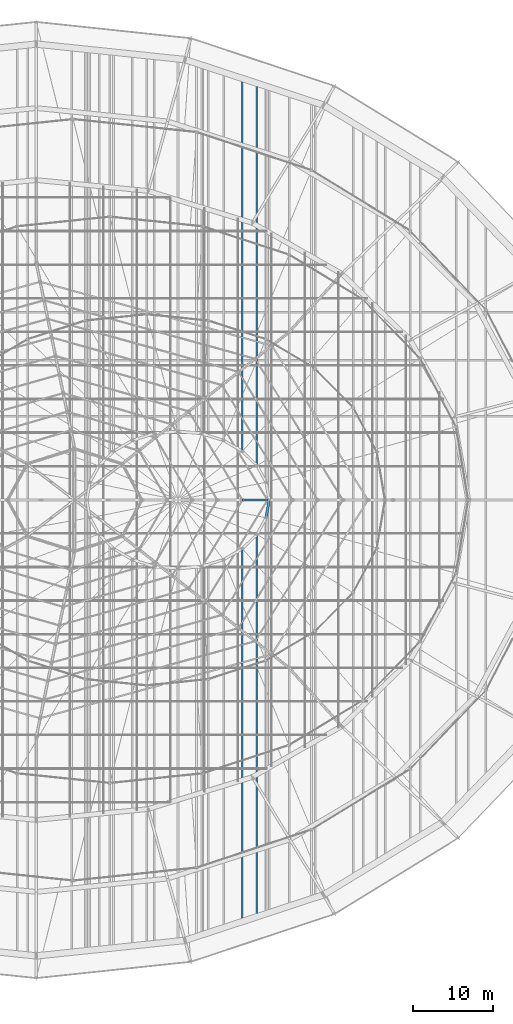
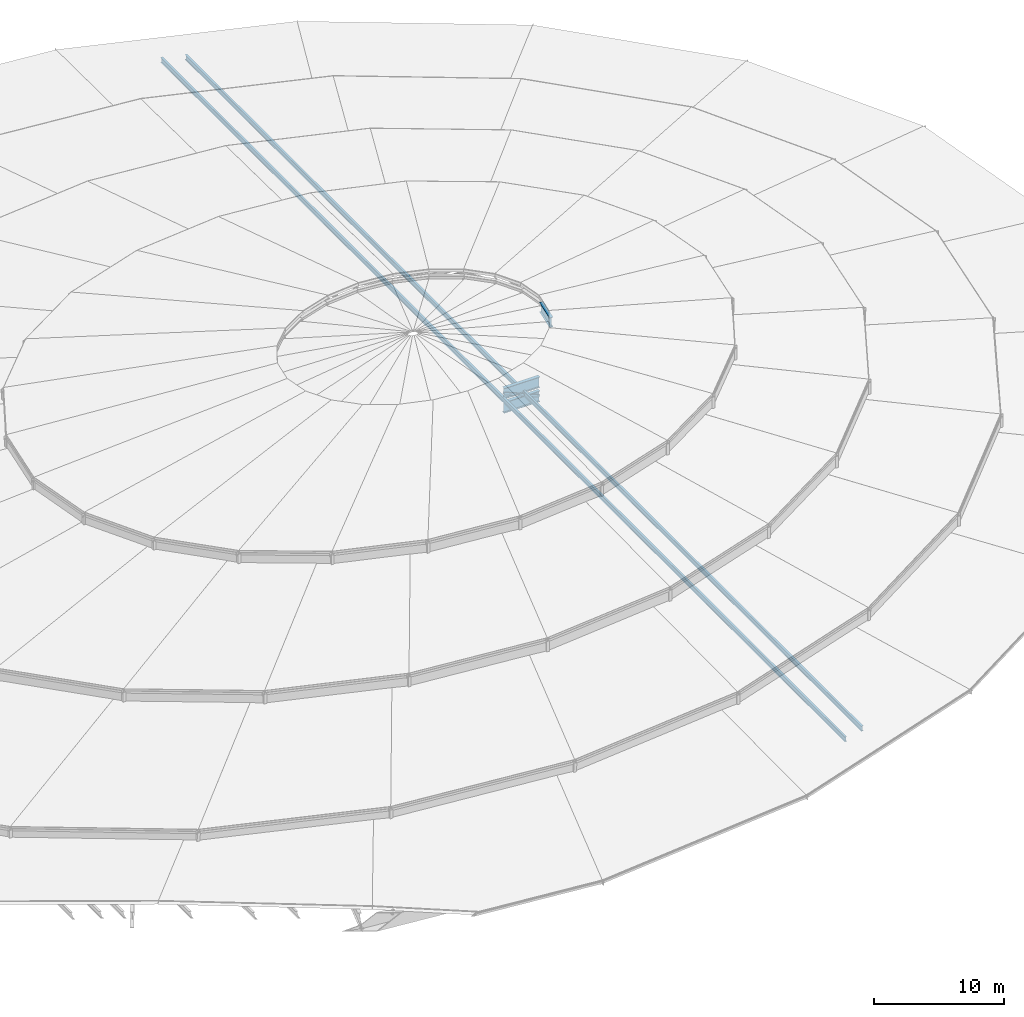
# One storey, part 80 of 184: 3 beams, 3 members.
"""IFC4 building model written with IfcOpenShell, lengths in metres."""

import ifcopenshell
import ifcopenshell.guid

model = None  # the IFC model being written
_history = None  # IfcOwnerHistory: only IFC2X3 demands one
_inside = {}  # id of a spatial element -> (the spatial element, [elements in it])
_under = {}  # id of a project, library or spatial element -> (it, [spatial elements below it])
_declared = {}  # id of a project -> (the project, [libraries it declares])
_typed = {}  # id of a type object -> (the type object, [elements of that type])
_made_of = {}  # id of a material, layer set ... -> (it, [elements and type objects made of it])


def new_model(schema):
    """Start an empty IFC model of exactly this schema.

    Asked for "IFC4X3", IfcOpenShell would pick the latest addendum, in which some entities
    have other attributes; the version numbers below select the first issue.
    IFC2X3 requires an IfcOwnerHistory on every rooted entity: one is made here for all.
    """
    global model, _history
    if schema == "IFC4X3":
        model = ifcopenshell.file(schema_version=(4, 3, 0, 0))
    else:
        model = ifcopenshell.file(schema=schema)
    _inside.clear()
    _under.clear()
    _declared.clear()
    _typed.clear()
    _made_of.clear()
    _history = None
    if model.schema == "IFC2X3":
        org = make("IfcOrganization", Name="unknown")
        user = make(
            "IfcPersonAndOrganization",
            ThePerson=make("IfcPerson", FamilyName="unknown"),
            TheOrganization=org,
        )
        app = make(
            "IfcApplication",
            ApplicationDeveloper=org,
            Version="unknown",
            ApplicationFullName="unknown",
            ApplicationIdentifier="unknown",
        )
        _history = make(
            "IfcOwnerHistory",
            OwningUser=user,
            OwningApplication=app,
            ChangeAction="ADDED",
            CreationDate=0,
        )
    return model


def make(cls, **values):
    """One entity of the class cls with the attributes given. An attribute that is None is left unset."""
    return model.create_entity(
        cls, **{name: value for name, value in values.items() if value is not None}
    )


def rooted(cls, **values):
    """An entity with a GlobalId (a new one), such as an element, a storey or a relation."""
    return make(cls, GlobalId=ifcopenshell.guid.new(), OwnerHistory=_history, **values)


def si_unit(unit_type, name, prefix=None):
    """IfcSIUnit, for example si_unit("LENGTHUNIT", "METRE", prefix="MILLI")."""
    return make("IfcSIUnit", UnitType=unit_type, Prefix=prefix, Name=name)


def assignment(units):
    """IfcUnitAssignment: the units of a project."""
    return None if units is None else make("IfcUnitAssignment", Units=units)


def point(xyz):
    """IfcCartesianPoint."""
    return None if xyz is None else make("IfcCartesianPoint", Coordinates=xyz)


def direction(xyz):
    """IfcDirection."""
    return None if xyz is None else make("IfcDirection", DirectionRatios=xyz)


def frame(location, z_axis=None, x_axis=None):
    """IfcAxis2Placement3D, a coordinate frame: its origin and axes. An axis left out is left unset."""
    return make(
        "IfcAxis2Placement3D",
        Location=point(location),
        Axis=direction(z_axis),
        RefDirection=direction(x_axis),
    )


def frame_2d(location, x_axis=None):
    """IfcAxis2Placement2D, a coordinate frame in the plane: its origin and x axis."""
    return make(
        "IfcAxis2Placement2D", Location=point(location), RefDirection=direction(x_axis)
    )


def origin():
    """The frame at (0, 0, 0) with its axes left unset."""
    return frame((0.0, 0.0, 0.0))


def origin_2d():
    """The frame at (0, 0) in the plane with its x axis left unset."""
    return frame_2d((0.0, 0.0))


def place(relative_to, where):
    """IfcLocalPlacement: puts the frame where relative to a parent placement (None: the world)."""
    return make(
        "IfcLocalPlacement", PlacementRelTo=relative_to, RelativePlacement=where
    )


def context(
    kind, dimensions, precision=None, world=None, true_north=None, identifier=None
):
    """IfcGeometricRepresentationContext, for example the 3D "Model" context."""
    return make(
        "IfcGeometricRepresentationContext",
        ContextIdentifier=identifier,
        ContextType=kind,
        CoordinateSpaceDimension=dimensions,
        Precision=precision,
        WorldCoordinateSystem=world,
        TrueNorth=true_north,
    )


def subcontext(parent, identifier, kind, view, scale=None):
    """IfcGeometricRepresentationSubContext, for example "Body" below "Model"."""
    return make(
        "IfcGeometricRepresentationSubContext",
        ContextIdentifier=identifier,
        ContextType=kind,
        ParentContext=parent,
        TargetScale=scale,
        TargetView=view,
    )


def project(units=None, contexts=None):
    """IfcProject with its units and contexts."""
    return rooted(
        "IfcProject",
        Name="project",
        RepresentationContexts=contexts,
        UnitsInContext=assignment(units),
    )


def spatial(cls, under=None, at=None, **own):
    """A site, building, storey or space (cls), placed at a placement, below another one or the project."""
    s = rooted(cls, ObjectPlacement=at, **own)
    if under is not None:
        _under.setdefault(under.id(), (under, []))[1].append(s)
    return s


def profile(cls, at=None, kind="AREA", **sizes):
    """A parametric profile (cls). Its sizes go by their IFC names, for example OverallWidth=200.0."""
    return make(cls, ProfileType=kind, Position=at, **sizes)


def hollow_rectangle(**sizes):
    """IfcRectangleHollowProfileDef."""
    return profile("IfcRectangleHollowProfileDef", **sizes)


def i_section(**sizes):
    """IfcIShapeProfileDef."""
    return profile("IfcIShapeProfileDef", **sizes)


def extrude(swept, where, along, depth):
    """IfcExtrudedAreaSolid: the profile swept, set in the frame where, extruded along a direction by depth."""
    return make(
        "IfcExtrudedAreaSolid",
        SweptArea=swept,
        Position=where,
        ExtrudedDirection=direction(along),
        Depth=depth,
    )


def shape(context_of_items, identifier, shape_type, items):
    """IfcShapeRepresentation: the items that make up one representation, for example the "Body"."""
    return make(
        "IfcShapeRepresentation",
        ContextOfItems=context_of_items,
        RepresentationIdentifier=identifier,
        RepresentationType=shape_type,
        Items=items,
    )


def material(Name=None, Category=None):
    """IfcMaterial."""
    return make("IfcMaterial", Name=Name, Category=Category)


def material_profile(
    of_material, cross_section, Name=None, Category=None, Priority=None
):
    """IfcMaterialProfile: a cross section and its material."""
    return make(
        "IfcMaterialProfile",
        Name=Name,
        Material=of_material,
        Profile=cross_section,
        Priority=Priority,
        Category=Category,
    )


def profile_set(profiles, Name=None, composite=None):
    """IfcMaterialProfileSet."""
    return make(
        "IfcMaterialProfileSet",
        Name=Name,
        MaterialProfiles=profiles,
        CompositeProfile=composite,
    )


def made_of(thing, what):
    """Note that an element or type object is made of a material, layer set ...; save() writes the relation."""
    if what is not None:
        _made_of.setdefault(what.id(), (what, []))[1].append(thing)
    return thing


def type_object(cls, material=None, **own):
    """A type object (cls), such as IfcWallType, which elements share."""
    return made_of(rooted(cls, **own), material)


def element(
    cls,
    number,
    at=None,
    inside=None,
    cuts=None,
    type_object=None,
    material=None,
    context=None,
    identifier="Body",
    shape_type=None,
    held_by="IfcProductDefinitionShape",
    body=None,
    shapes=None,
    **own,
):
    """One element of the class cls, such as IfcWall. Its Tag is "e" and its number.

    at: its placement. inside: the storey or other place that contains it. cuts: it is an
    opening in that element (IfcRelVoidsElement). A single representation is given by context,
    identifier, shape_type and body (its items); several are given by shapes. held_by: the class
    of the entity that holds the representations. save() writes the other relations.
    """
    e = rooted(cls, Tag="e%d" % number, ObjectPlacement=at, **own)
    if body is not None:
        shapes = [shape(context, identifier, shape_type, body)]
    if shapes is not None:
        e.Representation = make(held_by, Representations=shapes)
    if inside is not None:
        _inside.setdefault(inside.id(), (inside, []))[1].append(e)
    if cuts is not None:
        rooted(
            "IfcRelVoidsElement", RelatingBuildingElement=cuts, RelatedOpeningElement=e
        )
    if type_object is not None:
        _typed.setdefault(type_object.id(), (type_object, []))[1].append(e)
    return made_of(e, material)


def aggregate(whole, parts):
    """IfcRelAggregates: a whole, such as a stair, and the parts it consists of."""
    return rooted("IfcRelAggregates", RelatingObject=whole, RelatedObjects=parts)


def save(model, path):
    """Write the relations noted so far, then the file.

    IfcRelAggregates (storeys below a building ...), IfcRelContainedInSpatialStructure (elements
    in a storey), IfcRelDefinesByType, IfcRelAssociatesMaterial and IfcRelDeclares: one each for
    every whole, place, type object, material and project.
    """
    for whole, parts in _under.values():
        aggregate(whole, parts)
    for where, things in _inside.values():
        rooted(
            "IfcRelContainedInSpatialStructure",
            RelatedElements=things,
            RelatingStructure=where,
        )
    for kind, things in _typed.values():
        rooted("IfcRelDefinesByType", RelatedObjects=things, RelatingType=kind)
    for what, things in _made_of.values():
        rooted("IfcRelAssociatesMaterial", RelatedObjects=things, RelatingMaterial=what)
    for by, libraries in _declared.values():
        rooted("IfcRelDeclares", RelatingContext=by, RelatedDefinitions=libraries)
    model.write(path)


model = new_model("IFC4")

# Units and contexts
model_context = context("Model", 3, precision=1e-05, world=origin(), true_north=direction((0.0, 1.0)))
body_context = subcontext(model_context, "Body", "Model", "MODEL_VIEW")
ifc_project = project(units=[si_unit("LENGTHUNIT", "METRE"), si_unit("AREAUNIT", "SQUARE_METRE"), si_unit("VOLUMEUNIT", "CUBIC_METRE"), si_unit("PLANEANGLEUNIT", "RADIAN"), si_unit("MASSUNIT", "GRAM", prefix="KILO")], contexts=[model_context])

# Site, building, storey
site_placement = place(None, origin())
site = spatial("IfcSite", under=ifc_project, at=site_placement, CompositionType="ELEMENT")
building_placement = place(site_placement, origin())
building = spatial("IfcBuilding", under=site, at=building_placement, Name="Kalgoora Escarpment Arena", CompositionType="ELEMENT")
storey_placement = place(building_placement, frame((0.0, 0.0, 27.60009765625)))
storey = spatial("IfcBuildingStorey", under=building, at=storey_placement, Name="Roof Level", CompositionType="ELEMENT", Elevation=27.60009765625)

# Beams
ifc_material_1 = material(Name="Structural steel Grade 350 (350 MPa)", Category="steel")
ifc_material_profile_1 = material_profile(ifc_material_1, i_section(OverallWidth=0.300048828125, OverallDepth=0.909912109375, WebThickness=0.011962890625, FlangeThickness=0.028076171875, at=origin_2d()))
ifc_profile_set_1 = profile_set([ifc_material_profile_1], Name="Structural steel Grade 350 (350 MPa)")
beam_type_1 = type_object("IfcBeamType", Name="BM-HUB-RING", PredefinedType="USERDEFINED", material=ifc_profile_set_1)
beam_placement = place(storey_placement, frame((121.12158203125, 61.774169921875, 6.64990234375), z_axis=(0.171911146532, 0.985112459417, 0.0), x_axis=(-0.985112459417, 0.171911146532, 0.0)))
element("IfcBeam", 1, at=beam_placement, inside=storey, type_object=beam_type_1, Name="Crown oculus tension RING BEAM chord 24", ObjectType="GIRDER", PredefinedType="USERDEFINED", context=body_context, shape_type="SweptSolid", body=[
    extrude(i_section(OverallWidth=0.300048828125, OverallDepth=0.909912109375, WebThickness=0.011962890625, FlangeThickness=0.028076171875, at=origin_2d()), origin(), (0.0, 0.0, 1.0), 2.259521484375),
])
ifc_material_2 = material(Name="Structural steel Grade 350 (350 MPa)", Category="steel")
ifc_material_profile_2 = material_profile(ifc_material_2, i_section(OverallWidth=0.300048828125, OverallDepth=1.010009765625, WebThickness=0.01611328125, FlangeThickness=0.030029296875, at=origin_2d()))
ifc_profile_set_2 = profile_set([ifc_material_profile_2], Name="Structural steel Grade 350 (350 MPa)")
beam_type_2 = type_object("IfcBeamType", Name="BM-TRUSS-CHORD", PredefinedType="USERDEFINED", material=ifc_profile_set_2)
for number, where, z_axis, x_axis, name in (
    (2, (121.31201171875, 64.0, -1.625), (-0.999998809254, 0.0, 0.001543208039), (0.0, -1.0, 0.0), "Radial ROOF TRUSS spine 1 bottom chord 7"),
    (3, (121.31201171875, 64.0, -0.300048828125), (-0.999994995918, 0.0, 0.003163564416), (0.0, -1.0, 0.0), "Radial ROOF TRUSS spine 1 top chord 7"),
):
    element("IfcBeam", number, at=place(storey_placement, frame(where, z_axis=z_axis, x_axis=x_axis)), inside=storey, type_object=beam_type_2, Name=name, ObjectType="GIRDER", PredefinedType="USERDEFINED", context=body_context, shape_type="SweptSolid", body=[
        extrude(i_section(OverallWidth=0.300048828125, OverallDepth=1.010009765625, WebThickness=0.01611328125, FlangeThickness=0.030029296875, at=origin_2d()), origin(), (0.0, 0.0, 1.0), 3.1640625),
    ])

# Members
ifc_material_3 = material(Name="Structural steel AS/NZS 3679 (300 MPa)", Category="steel")
ifc_material_profile_3 = material_profile(ifc_material_3, i_section(OverallWidth=0.19091796875, OverallDepth=0.4599609375, WebThickness=0.010009765625, FlangeThickness=0.01611328125, at=origin_2d()))
ifc_profile_set_3 = profile_set([ifc_material_profile_3], Name="Structural steel AS/NZS 3679 (300 MPa)")
member_type_1 = type_object("IfcMemberType", Name="MEM-CARRIER-CHORD", PredefinedType="CHORD", material=ifc_profile_set_3)
member_1_placement = place(storey_placement, frame((119.982666015625, 11.901611328125, -0.900146484375), z_axis=(0.0, 1.0, 0.0), x_axis=(-1.0, 0.0, 0.0)))
element("IfcMember", 4, at=member_1_placement, inside=storey, type_object=member_type_1, Name="Crown dome spanning carrier chord C03", PredefinedType="CHORD", context=body_context, shape_type="SweptSolid", body=[
    extrude(i_section(OverallWidth=0.19091796875, OverallDepth=0.4599609375, WebThickness=0.010009765625, FlangeThickness=0.01611328125, at=origin_2d()), origin(), (0.0, 0.0, 1.0), 104.19677734375),
])
member_2_placement = place(storey_placement, frame((118.1708984375, 11.305908203125, -0.900146484375), z_axis=(0.0, 1.0, 0.0), x_axis=(-1.0, 0.0, 0.0)))
element("IfcMember", 5, at=member_2_placement, inside=storey, type_object=member_type_1, Name="Crown dome spanning carrier chord C04", PredefinedType="CHORD", context=body_context, shape_type="SweptSolid", body=[
    extrude(i_section(OverallWidth=0.19091796875, OverallDepth=0.4599609375, WebThickness=0.010009765625, FlangeThickness=0.01611328125, at=origin_2d()), origin(), (0.0, 0.0, 1.0), 105.38818359375),
])
ifc_material_4 = material(Name="Structural steel C350 (350 MPa)", Category="steel")
ifc_material_profile_4 = material_profile(ifc_material_4, hollow_rectangle(XDim=0.199951171875, YDim=0.199951171875, WallThickness=0.009033203125, at=origin_2d()))
ifc_profile_set_4 = profile_set([ifc_material_profile_4], Name="Structural steel C350 (350 MPa)")
member_type_2 = type_object("IfcMemberType", Name="MEM-TRUSS-DIAG", PredefinedType="BRACE", material=ifc_profile_set_4)
member_3_placement = place(storey_placement, frame((121.300048828125, 64.0, -1.625), z_axis=(-0.920288414257, 0.0, 0.391240635139), x_axis=(0.0, 1.0, 0.0)))
element("IfcMember", 6, at=member_3_placement, inside=storey, type_object=member_type_2, Name="Radial ROOF TRUSS spine 1 web diagonal 7", PredefinedType="BRACE", context=body_context, shape_type="SweptSolid", body=[
    extrude(hollow_rectangle(XDim=0.199951171875, YDim=0.199951171875, WallThickness=0.009033203125, at=origin_2d()), origin(), (0.0, 0.0, 1.0), 3.412109375),
])

save(model, "model.ifc")
